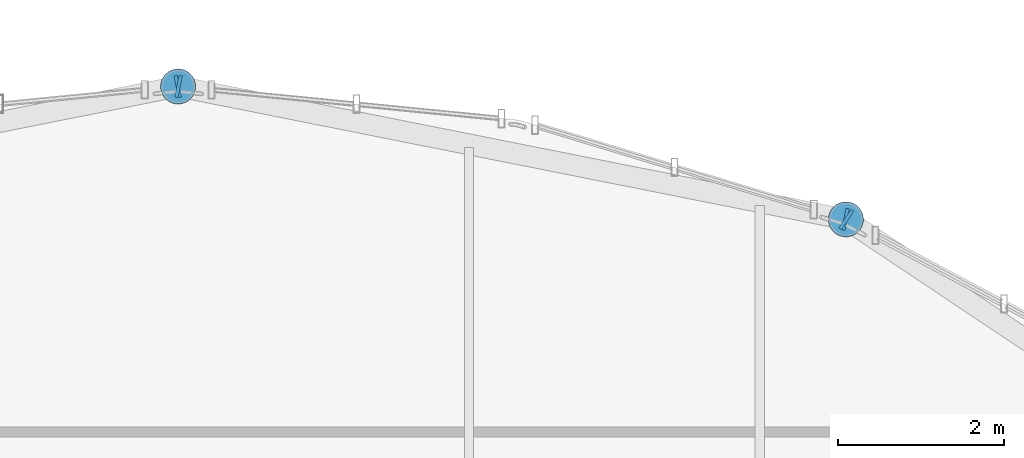
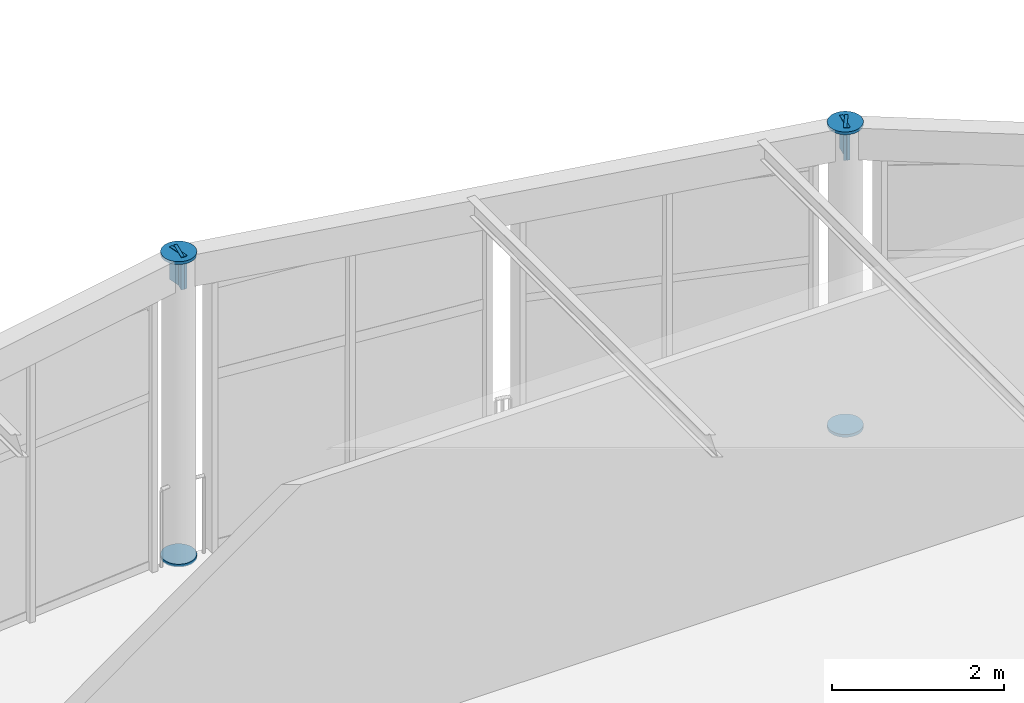
# One storey, part 86 of 105: 8 discrete accessories.
"""IFC4 building model written with IfcOpenShell, lengths in metres."""

from ifc_helpers import new_model, si_unit, direction, frame, origin, origin_2d, place, context, subcontext, project, spatial, rectangle, circle, extrude, material, element, save


model = new_model("IFC4")

# Units and contexts
model_context = context("Model", 3, precision=1e-05, world=origin(), true_north=direction((0.0, 1.0)))
body_context = subcontext(model_context, "Body", "Model", "MODEL_VIEW")
ifc_project = project(units=[si_unit("LENGTHUNIT", "METRE"), si_unit("AREAUNIT", "SQUARE_METRE"), si_unit("VOLUMEUNIT", "CUBIC_METRE"), si_unit("PLANEANGLEUNIT", "RADIAN"), si_unit("MASSUNIT", "GRAM", prefix="KILO")], contexts=[model_context])

# Site, building, storey
site_placement = place(None, origin())
site = spatial("IfcSite", under=ifc_project, at=site_placement, CompositionType="ELEMENT")
building_placement = place(site_placement, origin())
building = spatial("IfcBuilding", under=site, at=building_placement, Name="Marlcrest Central Station", CompositionType="ELEMENT")
storey_placement = place(building_placement, frame((0.0, 0.0, 15.0)))
storey = spatial("IfcBuildingStorey", under=building, at=storey_placement, Name="L03", CompositionType="ELEMENT", Elevation=15.0)

# Discrete accessories
ifc_material = material(Name="Steel S355", Category="steel")
for number, where, z_axis, x_axis, name in (
    (1, (108.0, 131.5, -0.014892578125), (0.0, 0.0, 1.0), (1.0, 0.0, 0.0), "endcap-col-SC-10-L03-0858-s"),
    (2, (108.0, 131.5, 4.28515625), (0.0, 0.0, 1.0), (1.0, 0.0, 0.0), "endcap-col-SC-10-L03-0858-e"),
    (3, (116.035888671875, 129.90087890625, -0.014892578125), (0.0, 0.0, 1.0), (1.0, 0.0, 0.0), "endcap-col-SC-10-L03-0862-s"),
    (4, (116.035888671875, 129.90087890625, 4.28515625), (0.0, 0.0, 1.0), (1.0, 0.0, 0.0), "endcap-col-SC-10-L03-0862-e"),
):
    element("IfcDiscreteAccessory", number, at=place(storey_placement, frame(where, z_axis=z_axis, x_axis=x_axis)), inside=storey, material=ifc_material, Name=name, ObjectType="END_CAP_PLATE", PredefinedType="BRACKET", context=body_context, shape_type="SweptSolid", body=[
        extrude(circle(Radius=0.211181640625, at=origin_2d()), origin(), (0.0, 0.0, 1.0), 0.0400390625),
    ])
for number, where, z_axis, x_axis, name in (
    (5, (107.9755859375, 131.4951171875, 4.10009765625), (0.980769316421, 0.19517056122, 0.0), (-0.19517056122, 0.980769316421, 0.0), "endcap-bm-SP-02-L03-01521-e"),
    (6, (107.9853515625, 131.5029296875, 4.10009765625), (0.980769316421, -0.19517056122, 0.0), (0.19517056122, 0.980769316421, 0.0), "endcap-bm-SP-02-L03-01522-s"),
    (7, (116.011474609375, 129.90576171875, 4.10009765625), (0.980769316421, -0.19517056122, 0.0), (0.19517056122, 0.980769316421, 0.0), "endcap-bm-SP-02-L03-01522-e"),
    (8, (116.0234375, 129.9091796875, 4.10009765625), (0.831508991937, -0.55551129271, 0.0), (0.55551129271, 0.831508991937, 0.0), "endcap-bm-SP-02-L03-01523-s"),
):
    element("IfcDiscreteAccessory", number, at=place(storey_placement, frame(where, z_axis=z_axis, x_axis=x_axis)), inside=storey, material=ifc_material, Name=name, ObjectType="END_CAP_PLATE", PredefinedType="BRACKET", context=body_context, shape_type="SweptSolid", body=[
        extrude(rectangle(XDim=0.26611328125, YDim=0.466064453125, at=origin_2d()), origin(), (0.0, 0.0, 1.0), 0.0400390625),
    ])

save(model, "model.ifc")
